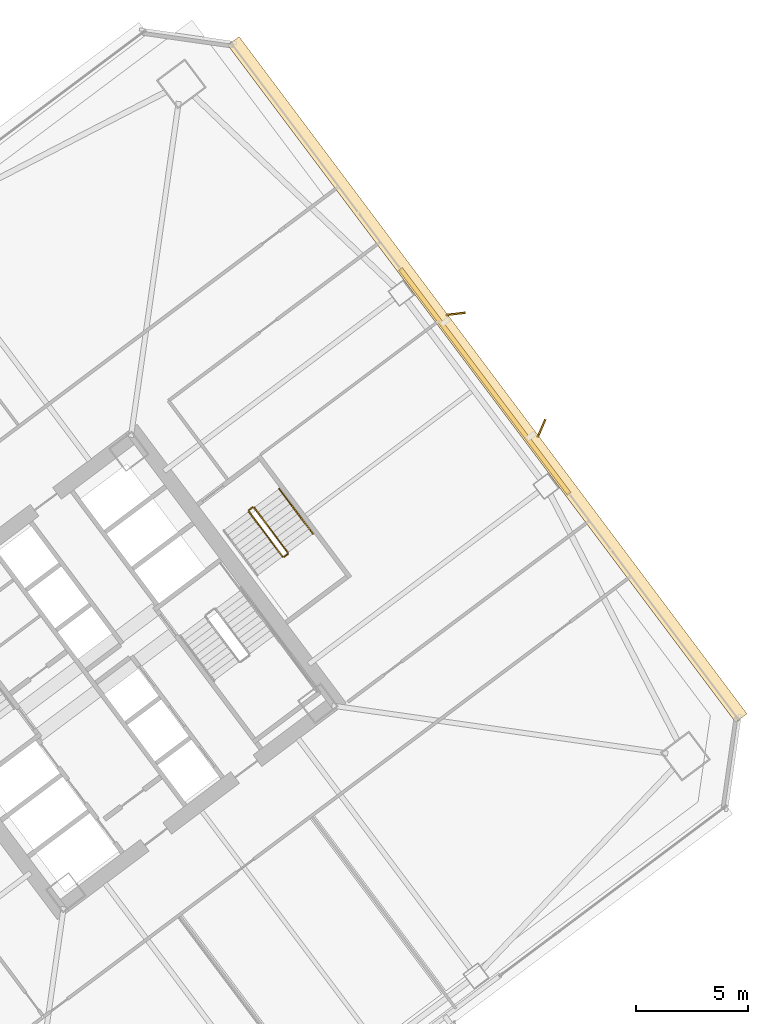
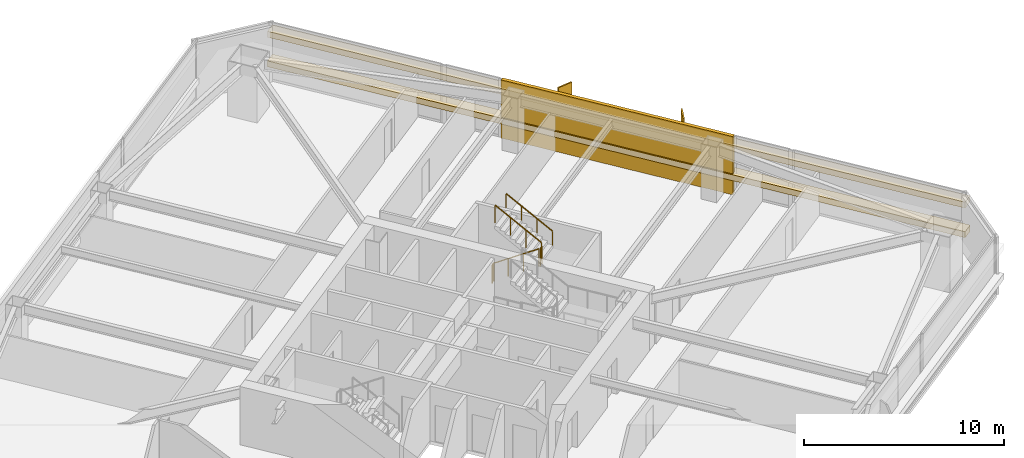
# One storey, part 61 of 62: 5 railings, 3 coverings, 2 shading devices.
"""IFC4 building model written with IfcOpenShell, lengths in metres."""

from ifc_helpers import new_model, si_unit, direction, frame, origin, origin_2d, place, context, subcontext, project, spatial, rectangle, extrude, material, layer, layer_set, type_object, element, save


model = new_model("IFC4")

# Units and contexts
model_context = context("Model", 3, precision=1e-05, world=origin(), true_north=direction((0.0, 1.0)))
body_context = subcontext(model_context, "Body", "Model", "MODEL_VIEW")
ifc_project = project(units=[si_unit("LENGTHUNIT", "METRE"), si_unit("AREAUNIT", "SQUARE_METRE"), si_unit("VOLUMEUNIT", "CUBIC_METRE"), si_unit("PLANEANGLEUNIT", "RADIAN"), si_unit("MASSUNIT", "GRAM", prefix="KILO")], contexts=[model_context])

# Site, building, storey
site_placement = place(None, origin())
site = spatial("IfcSite", under=ifc_project, at=site_placement, CompositionType="ELEMENT")
building_placement = place(site_placement, origin())
building = spatial("IfcBuilding", under=site, at=building_placement, Name="Tashvorn Skyway Center", CompositionType="ELEMENT")
storey_placement = place(building_placement, frame((0.0, 0.0, 28.14990234375)))
storey = spatial("IfcBuildingStorey", under=building, at=storey_placement, Name="L06", CompositionType="ELEMENT", Elevation=28.14990234375)

# Coverings
ifc_material_1 = material(Name="Precast concrete C40/50", Category="concrete")
ifc_layer_1 = layer(ifc_material_1, 0.199951171875)
ifc_layer_set_1 = layer_set([ifc_layer_1], Name="Precast concrete C40/50")
covering_type_1 = type_object("IfcCoveringType", Name="COV-BRACE-CLAD", PredefinedType="CLADDING", material=ifc_layer_set_1)
covering_placement = place(storey_placement, frame((131.343994140625, 45.008056640625, 0.0), z_axis=(0.0, 0.0, 1.0), x_axis=(0.600000004945, -0.799999996291, 0.0)))
element("IfcCovering", 1, at=covering_placement, inside=storey, type_object=covering_type_1, Name="Tower 2 L06 East Unitised Curtain Wall Mega-Brace Cladding Band 1", PredefinedType="CLADDING", context=body_context, shape_type="SweptSolid", body=[
    extrude(rectangle(XDim=12.586669921875, YDim=0.199951171875, at=origin_2d()), origin(), (0.0, 0.0, 1.0), 3.550048828125),
])
ifc_material_2 = material(Name="Perforated ceramic-coated bronze aluminium solar screen", Category="aluminium")
ifc_layer_2 = layer(ifc_material_2, 0.85009765625)
ifc_layer_set_2 = layer_set([ifc_layer_2], Name="Perforated ceramic-coated bronze aluminium solar screen")
covering_type_2 = type_object("IfcCoveringType", Name="COV-SOLAR-BAND", PredefinedType="CLADDING", material=ifc_layer_set_2)
for number, where, z_axis, x_axis, name in (
    (2, (131.4560546875, 45.092041015625, 0.919921875), (0.0, 0.0, 1.0), (0.600000004945, -0.799999996291, 0.0), "L06 Perforated Ceramic-Metal Solar Screen Louvre Band East 1"),
    (3, (131.4560546875, 45.092041015625, 2.72021484375), (0.0, 0.0, 1.0), (0.600000004945, -0.799999996291, 0.0), "L06 Perforated Ceramic-Metal Solar Screen Louvre Band East 2"),
):
    element("IfcCovering", number, at=place(storey_placement, frame(where, z_axis=z_axis, x_axis=x_axis)), inside=storey, type_object=covering_type_2, Name=name, PredefinedType="CLADDING", context=body_context, shape_type="SweptSolid", body=[
        extrude(rectangle(XDim=37.8798828125, YDim=0.639892578125, at=origin_2d()), origin(), (0.0, 0.0, 1.0), 0.360107421875),
    ])

# Railings
ifc_material_3 = material(Name="Brushed stainless steel 316", Category="steel")
railing_type_1 = type_object("IfcRailingType", Name="RAIL-HAND-920", PredefinedType="HANDRAIL", material=ifc_material_3)
railing_1_placement = place(storey_placement, frame((123.64794921875, 38.18603515625, 1.95263671875)))
element("IfcRailing", 4, at=railing_1_placement, inside=storey, type_object=railing_type_1, Name="L06 ST-T2-3 stair handrail 2", PredefinedType="HANDRAIL", context=body_context, shape_type="SweptSolid", body=[
    extrude(rectangle(XDim=0.048095703125, YDim=0.048095703125, at=origin_2d()), frame((0.0, 0.0, 0.8759765625), z_axis=(-0.506768818287, 0.675664481285, 0.535409071218), x_axis=(-0.79998837352, -0.60001550166, 0.0)), (0.0, 0.0, 1.0), 2.983642578125),
    extrude(rectangle(XDim=0.0419921875, YDim=0.0419921875, at=origin_2d()), origin(), (0.0, 0.0, 1.0), 0.851806640625),
    extrude(rectangle(XDim=0.0419921875, YDim=0.0419921875, at=origin_2d()), frame((-0.50390625, 0.671875, 0.532470703125)), (0.0, 0.0, 1.0), 0.851806640625),
    extrude(rectangle(XDim=0.0419921875, YDim=0.0419921875, at=origin_2d()), frame((-1.008056640625, 1.343994140625, 1.06494140625)), (0.0, 0.0, 1.0), 0.851806640625),
    extrude(rectangle(XDim=0.0419921875, YDim=0.0419921875, at=origin_2d()), frame((-1.511962890625, 2.015869140625, 1.597412109375)), (0.0, 0.0, 1.0), 0.851806640625),
])
ifc_material_4 = material(Name="Painted galvanized steel S355", Category="steel")
railing_type_2 = type_object("IfcRailingType", Name="RAIL-STGUARD-1100", PredefinedType="GUARDRAIL", material=ifc_material_4)
railing_2_placement = place(storey_placement, frame((120.77587890625, 39.181884765625, 0.177490234375)))
element("IfcRailing", 5, at=railing_2_placement, inside=storey, type_object=railing_type_2, Name="L06 ST-T2-3 stair guard 1", PredefinedType="GUARDRAIL", context=body_context, shape_type="SweptSolid", body=[
    extrude(rectangle(XDim=0.048095703125, YDim=0.048095703125, at=origin_2d()), frame((0.0, 0.0, 1.076171875), z_axis=(0.506807425148, -0.675606863004, 0.535445235739), x_axis=(0.799941867976, 0.600077501544, 0.0)), (0.0, 0.0, 1.0), 2.98388671875),
    extrude(rectangle(XDim=0.0419921875, YDim=0.0419921875, at=origin_2d()), origin(), (0.0, 0.0, 1.0), 1.052001953125),
    extrude(rectangle(XDim=0.0419921875, YDim=0.0419921875, at=origin_2d()), frame((0.504150390625, -0.671875, 0.532470703125)), (0.0, 0.0, 1.0), 1.052001953125),
    extrude(rectangle(XDim=0.0419921875, YDim=0.0419921875, at=origin_2d()), frame((1.008056640625, -1.343994140625, 1.065185546875)), (0.0, 0.0, 1.0), 1.052001953125),
    extrude(rectangle(XDim=0.0419921875, YDim=0.0419921875, at=origin_2d()), frame((1.51220703125, -2.015869140625, 1.59765625)), (0.0, 0.0, 1.0), 1.052001953125),
])
railing_3_placement = place(storey_placement, frame((122.35791015625, 37.156005859375, 1.775146484375)))
element("IfcRailing", 6, at=railing_3_placement, inside=storey, type_object=railing_type_2, Name="L06 ST-T2-3 stair guard 2", PredefinedType="GUARDRAIL", context=body_context, shape_type="SweptSolid", body=[
    extrude(rectangle(XDim=0.048095703125, YDim=0.048095703125, at=origin_2d()), frame((0.0, 0.0, 1.076171875), z_axis=(0.800585412921, 0.599218655098, 0.0), x_axis=(-0.599218655098, 0.800585412921, 0.0)), (0.0, 0.0, 1.0), 0.199951171875),
    extrude(rectangle(XDim=0.0419921875, YDim=0.0419921875, at=origin_2d()), origin(), (0.0, 0.0, 1.0), 1.052001953125),
    extrude(rectangle(XDim=0.0419921875, YDim=0.0419921875, at=origin_2d()), frame((0.16015625, 0.119873046875, 0.0)), (0.0, 0.0, 1.0), 1.052001953125),
])
railing_4_placement = place(storey_placement, frame((122.528076171875, 37.345947265625, 1.95263671875)))
element("IfcRailing", 7, at=railing_4_placement, inside=storey, type_object=railing_type_2, Name="L06 ST-T2-3 stair guard 3", PredefinedType="GUARDRAIL", context=body_context, shape_type="SweptSolid", body=[
    extrude(rectangle(XDim=0.048095703125, YDim=0.048095703125, at=origin_2d()), frame((0.0, 0.0, 1.076171875), z_axis=(-0.506740800098, 0.675708949977, 0.535379469569), x_axis=(-0.800023250257, -0.599968998406, 0.0)), (0.0, 0.0, 1.0), 2.983642578125),
    extrude(rectangle(XDim=0.0419921875, YDim=0.0419921875, at=origin_2d()), origin(), (0.0, 0.0, 1.0), 1.052001953125),
    extrude(rectangle(XDim=0.0419921875, YDim=0.0419921875, at=origin_2d()), frame((-0.50390625, 0.672119140625, 0.532470703125)), (0.0, 0.0, 1.0), 1.052001953125),
    extrude(rectangle(XDim=0.0419921875, YDim=0.0419921875, at=origin_2d()), frame((-1.008056640625, 1.343994140625, 1.06494140625)), (0.0, 0.0, 1.0), 1.052001953125),
    extrude(rectangle(XDim=0.0419921875, YDim=0.0419921875, at=origin_2d()), frame((-1.511962890625, 2.01611328125, 1.597412109375)), (0.0, 0.0, 1.0), 1.052001953125),
])
railing_5_placement = place(storey_placement, frame((120.785888671875, 39.251953125, 0.0)))
element("IfcRailing", 8, at=railing_5_placement, inside=storey, type_object=railing_type_2, Name="L06 ST-T2-3 stair guard 4", PredefinedType="GUARDRAIL", context=body_context, shape_type="SweptSolid", body=[
    extrude(rectangle(XDim=0.048095703125, YDim=0.048095703125, at=origin_2d()), frame((0.0, 0.0, 1.076171875), z_axis=(0.8, 0.6, 0.0), x_axis=(-0.6, 0.8, 0.0)), (0.0, 0.0, 1.0), 0.2001953125),
    extrude(rectangle(XDim=0.0419921875, YDim=0.0419921875, at=origin_2d()), origin(), (0.0, 0.0, 1.0), 1.052001953125),
    extrude(rectangle(XDim=0.0419921875, YDim=0.0419921875, at=origin_2d()), frame((0.16015625, 0.1201171875, 0.0)), (0.0, 0.0, 1.0), 1.052001953125),
])

# Shading devices
ifc_layer_3 = layer(ifc_material_2, 0.06005859375)
ifc_layer_set_3 = layer_set([ifc_layer_3], Name="Perforated ceramic-coated bronze aluminium solar screen")
shading_device_type = type_object("IfcShadingDeviceType", Name="SHD-SOLAR-850", PredefinedType="USERDEFINED", material=ifc_layer_set_3)
for number, where, z_axis, x_axis, name in (
    (9, (133.8798828125, 42.909912109375, -0.099853515625), (0.0, 0.0, 1.0), (0.919615244699, -0.392820317343, 0.0), "Tower 2 L06 Perforated Ceramic-Metal Solar Screen E1"),
    (10, (130.0400390625, 48.030029296875, -0.099853515625), (0.0, 0.0, 1.0), (0.119615248407, -0.992820322288, 0.0), "Tower 2 L06 Perforated Ceramic-Metal Solar Screen E2"),
):
    element("IfcShadingDevice", number, at=place(storey_placement, frame(where, z_axis=z_axis, x_axis=x_axis)), inside=storey, type_object=shading_device_type, Name=name, ObjectType="SCREEN", PredefinedType="USERDEFINED", context=body_context, shape_type="SweptSolid", body=[
        extrude(rectangle(XDim=0.080078125, YDim=0.85009765625, at=origin_2d()), origin(), (0.0, 0.0, 1.0), 3.64990234375),
    ])

save(model, "model.ifc")
